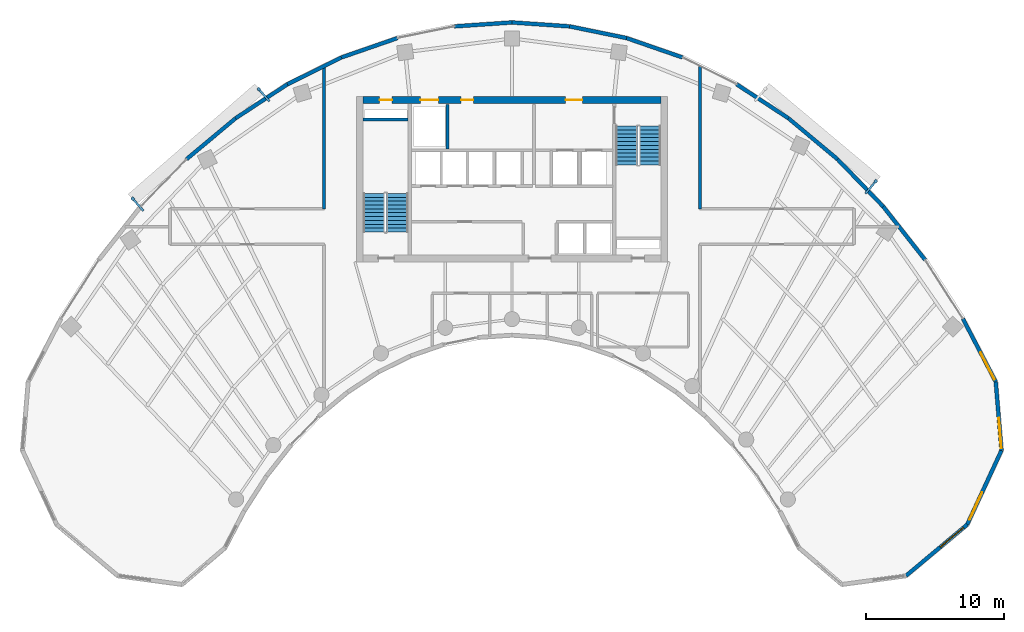
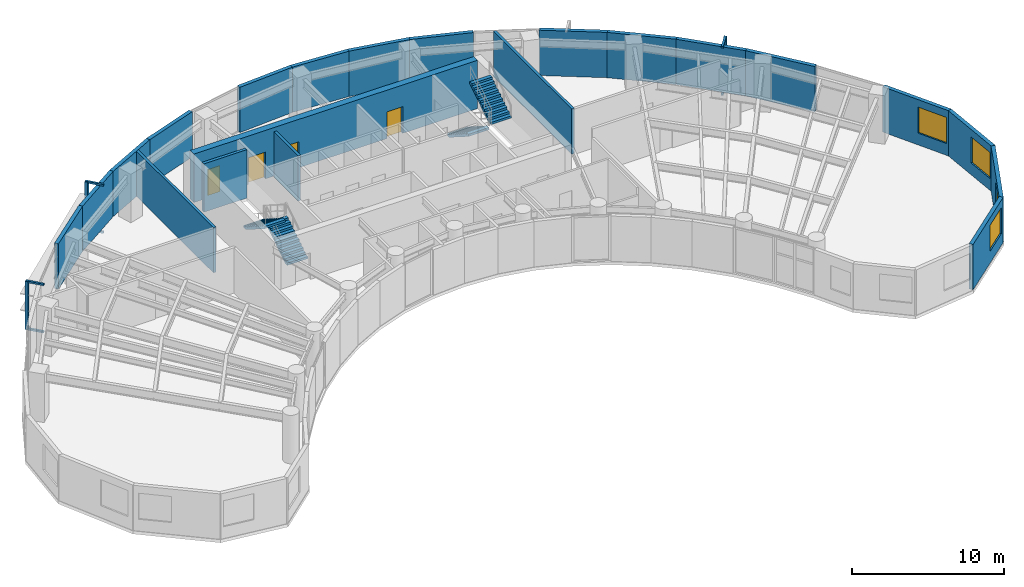
# One storey, part 10 of 13: 21 walls, 9 discrete accessories, 4 doors, 4 stair flights, 4 windows, 8 openings, 2 elements without a shape of their own.
"""IFC4 building model written with IfcOpenShell, lengths in metres."""

from ifc_helpers import new_model, si_unit, direction, frame, frame_2d, origin, origin_2d, place, context, subcontext, project, spatial, polyline, rectangle, outline, extrude, source, transform, mapped, material, layer, layer_set, type_object, type_shapes, element, fill, aggregate, save


model = new_model("IFC4")

# Units and contexts
model_context = context("Model", 3, precision=1e-05, world=origin(), true_north=direction((0.0, 1.0)))
body_context = subcontext(model_context, "Body", "Model", "MODEL_VIEW")
ifc_project = project(units=[si_unit("LENGTHUNIT", "METRE"), si_unit("AREAUNIT", "SQUARE_METRE"), si_unit("VOLUMEUNIT", "CUBIC_METRE"), si_unit("PLANEANGLEUNIT", "RADIAN"), si_unit("MASSUNIT", "GRAM", prefix="KILO")], contexts=[model_context])

# Site, building, storey
site_placement = place(None, origin())
site = spatial("IfcSite", under=ifc_project, at=site_placement, CompositionType="ELEMENT")
building_placement = place(site_placement, origin())
building = spatial("IfcBuilding", under=site, at=building_placement, Name="Breltana Convention Tower", CompositionType="ELEMENT")
storey_placement = place(building_placement, frame((0.0, 0.0, 158.39990234375)))
storey = spatial("IfcBuildingStorey", under=building, at=storey_placement, Name="L38", CompositionType="ELEMENT", Elevation=158.39990234375)

# Wall, openings, doors
ifc_material_1 = material(Name="Concrete C60/75", Category="concrete")
ifc_layer_1 = layer(ifc_material_1, 0.5, Name="Concrete C60/75")
ifc_layer_set_1 = layer_set([ifc_layer_1], Name="Concrete C60/75")
wall_type_1 = type_object("IfcWallType", Name="SW-CORE-500", PredefinedType="SHEAR", material=ifc_layer_set_1)
shared_shape_1 = source(origin(), body_context, "Body", "SweptSolid", [
    extrude(rectangle(XDim=21.60009765625, YDim=0.5, at=frame_2d((10.800048828125, 0.0))), origin(), (0.0, 0.0, 1.0), 3.900146484375),
])
wall_1_placement = place(storey_placement, frame((37.199951171875, 71.949951171875, 0.0), z_axis=(0.0, 0.0, 1.0), x_axis=(1.0, 0.0, 0.0)))
wall_1 = element("IfcWall", 1, at=wall_1_placement, inside=storey, type_object=wall_type_1, Name="L38 North Core Shear Wall", PredefinedType="SHEAR", context=body_context, shape_type="MappedRepresentation", body=[
    mapped(shared_shape_1, transform((0.0, 0.0, 0.0), scale=1.0)),
])
opening_1_placement = place(wall_1_placement, frame((1.199951171875, 0.0, 0.0)))
opening_1 = element("IfcOpeningElement", 2, at=opening_1_placement, cuts=wall_1, Name="Opening D-18", PredefinedType="OPENING", context=body_context, shape_type="SweptSolid", body=[
    extrude(rectangle(XDim=0.89990234375, YDim=2.10009765625, at=frame_2d((0.449951171875, 1.050048828125))), frame((0.0, 0.260009765625, 0.0), z_axis=(0.0, -1.0, 0.0), x_axis=(1.0, 0.0, 0.0)), (0.0, 0.0, 1.0), 0.52001953125),
])
opening_2_placement = place(wall_1_placement, frame((14.699951171875, 0.0, 0.0)))
opening_2 = element("IfcOpeningElement", 3, at=opening_2_placement, cuts=wall_1, Name="Opening D-09", PredefinedType="OPENING", context=body_context, shape_type="SweptSolid", body=[
    extrude(rectangle(XDim=1.199951171875, YDim=2.14990234375, at=frame_2d((0.60009765625, 1.074951171875))), frame((0.0, 0.260009765625, 0.0), z_axis=(0.0, -1.0, 0.0), x_axis=(1.0, 0.0, 0.0)), (0.0, 0.0, 1.0), 0.52001953125),
])
opening_3_placement = place(wall_1_placement, frame((4.14990234375, 0.0, 0.0)))
opening_3 = element("IfcOpeningElement", 4, at=opening_3_placement, cuts=wall_1, Name="Opening LD-01", PredefinedType="OPENING", context=body_context, shape_type="SweptSolid", body=[
    extrude(rectangle(XDim=1.300048828125, YDim=2.14990234375, at=frame_2d((0.64990234375, 1.074951171875))), frame((0.0, 0.260009765625, 0.0), z_axis=(0.0, -1.0, 0.0), x_axis=(1.0, 0.0, 0.0)), (0.0, 0.0, 1.0), 0.52001953125),
])
opening_4_placement = place(wall_1_placement, frame((7.10009765625, 0.0, 0.0)))
opening_4 = element("IfcOpeningElement", 5, at=opening_4_placement, cuts=wall_1, Name="Opening D-18", PredefinedType="OPENING", context=body_context, shape_type="SweptSolid", body=[
    extrude(rectangle(XDim=0.89990234375, YDim=2.10009765625, at=frame_2d((0.449951171875, 1.050048828125))), frame((0.0, 0.260009765625, 0.0), z_axis=(0.0, -1.0, 0.0), x_axis=(1.0, 0.0, 0.0)), (0.0, 0.0, 1.0), 0.52001953125),
])
ifc_material_2 = material(Name="Steel Riser Fire Door", Category="steel")
door_type_1 = type_object("IfcDoorType", Name="DR-FD60-900", OperationType="NOTDEFINED", PredefinedType="DOOR", material=ifc_material_2)
shared_shape_2 = source(origin(), body_context, "Body", "SweptSolid", [
    extrude(rectangle(XDim=0.89990234375, YDim=2.10009765625, at=frame_2d((0.449951171875, 1.050048828125))), frame((0.0, 0.02490234375, 0.0), z_axis=(0.0, -1.0, 0.0), x_axis=(1.0, 0.0, 0.0)), (0.0, 0.0, 1.0), 0.050048828125),
])
type_shapes(door_type_1, [shared_shape_2])
door_1_placement = place(opening_1_placement, origin())
door_1 = element("IfcDoor", 6, at=door_1_placement, inside=storey, type_object=door_type_1, Name="L38 Core Riser Access Door D-L38-RS1", OperationType="SINGLE_SWING_LEFT", OverallHeight=2.10009765625, OverallWidth=0.89990234375, PredefinedType="DOOR", context=body_context, shape_type="MappedRepresentation", body=[
    mapped(shared_shape_2, transform((0.0, 0.0, 0.0), scale=1.0)),
])
fill(opening_1, door_1)
door_2_placement = place(opening_4_placement, origin())
door_2 = element("IfcDoor", 7, at=door_2_placement, inside=storey, type_object=door_type_1, Name="L38 interior door D-L38-CRA1", OperationType="SINGLE_SWING_RIGHT", OverallHeight=2.10009765625, OverallWidth=0.89990234375, PredefinedType="DOOR", context=body_context, shape_type="MappedRepresentation", body=[
    mapped(shared_shape_2, transform((0.0, 0.0, 0.0), scale=1.0)),
])
fill(opening_4, door_2)
ifc_material_3 = material(Name="Steel Fire Lobby Door", Category="steel")
door_type_2 = type_object("IfcDoorType", Name="DR-FD120-1200", OperationType="NOTDEFINED", PredefinedType="DOOR", material=ifc_material_3)
shared_shape_3 = source(origin(), body_context, "Body", "SweptSolid", [
    extrude(rectangle(XDim=1.199951171875, YDim=2.14990234375, at=frame_2d((0.60009765625, 1.074951171875))), frame((0.0, 0.02490234375, 0.0), z_axis=(0.0, -1.0, 0.0), x_axis=(1.0, 0.0, 0.0)), (0.0, 0.0, 1.0), 0.050048828125),
])
type_shapes(door_type_2, [shared_shape_3])
door_3_placement = place(opening_2_placement, origin())
door_3 = element("IfcDoor", 8, at=door_3_placement, inside=storey, type_object=door_type_2, Name="L38 interior door D-L38-FFL-N", OperationType="SINGLE_SWING_RIGHT", OverallHeight=2.14990234375, OverallWidth=1.199951171875, PredefinedType="DOOR", context=body_context, shape_type="MappedRepresentation", body=[
    mapped(shared_shape_3, transform((0.0, 0.0, 0.0), scale=1.0)),
])
fill(opening_2, door_3)
ifc_material_4 = material(Name="Stainless Steel Brushed", Category="steel")
door_type_3 = type_object("IfcDoorType", Name="DR-LD-SRV-1300", OperationType="DOUBLE_DOOR_SLIDING", PredefinedType="DOOR", material=ifc_material_4)
shared_shape_4 = source(origin(), body_context, "Body", "SweptSolid", [
    extrude(rectangle(XDim=1.300048828125, YDim=2.14990234375, at=frame_2d((0.64990234375, 1.074951171875))), frame((0.0, 0.02490234375, 0.0), z_axis=(0.0, -1.0, 0.0), x_axis=(1.0, 0.0, 0.0)), (0.0, 0.0, 1.0), 0.050048828125),
])
type_shapes(door_type_3, [shared_shape_4])
door_4_placement = place(opening_3_placement, origin())
door_4 = element("IfcDoor", 9, at=door_4_placement, inside=storey, type_object=door_type_3, Name="L38 Lift Landing Door D-L38-LD-SV1", OperationType="DOUBLE_DOOR_SLIDING", OverallHeight=2.14990234375, OverallWidth=1.300048828125, PredefinedType="DOOR", context=body_context, shape_type="MappedRepresentation", body=[
    mapped(shared_shape_4, transform((0.0, 0.0, 0.0), scale=1.0)),
])
fill(opening_3, door_4)

# Wall
ifc_material_5 = material(Name="Concrete C50/60", Category="concrete")
ifc_layer_2 = layer(ifc_material_5, 0.39990234375, Name="Concrete C50/60")
ifc_layer_set_2 = layer_set([ifc_layer_2], Name="Concrete C50/60")
wall_type_2 = type_object("IfcWallType", Name="SW-CORE-400", PredefinedType="SHEAR", material=ifc_layer_set_2)
shared_shape_5 = source(origin(), body_context, "Body", "SweptSolid", [
    extrude(rectangle(XDim=3.27001953125, YDim=0.219970703125, at=frame_2d((1.635009765625, 0.0))), origin(), (0.0, 0.0, 1.0), 3.900146484375),
])
wall_2_placement = place(storey_placement, frame((37.199951171875, 70.510009765625, 0.0), z_axis=(0.0, 0.0, 1.0), x_axis=(1.0, 0.0, 0.0)))
element("IfcWall", 10, at=wall_2_placement, inside=storey, type_object=wall_type_2, Name="L38 ST-1 Stairwell North Bearing Wall", PredefinedType="SHEAR", context=body_context, shape_type="MappedRepresentation", body=[
    mapped(shared_shape_5, transform((0.0, 0.0, 0.0), scale=1.0)),
])

# Wall, opening, window
ifc_material_6 = material(Name="Limestone Buff Insulated Wall", Category="masonry")
ifc_layer_3 = layer(ifc_material_6, 0.280029296875, Name="Limestone Buff Insulated Wall")
ifc_layer_set_3 = layer_set([ifc_layer_3], Name="Limestone Buff Insulated Wall")
wall_type_3 = type_object("IfcWallType", Name="WL-EXT-NOSE-280", PredefinedType="SOLIDWALL", material=ifc_layer_set_3)
shared_shape_6 = source(origin(), body_context, "Body", "SweptSolid", [
    extrude(rectangle(XDim=4.994384765625, YDim=0.280029296875, at=frame_2d((2.4970703125, 0.0))), origin(), (0.0, 0.0, 1.0), 3.650146484375),
])
wall_3_placement = place(storey_placement, frame((83.102294921875, 51.48876953125, 0.0), z_axis=(0.0, 0.0, 1.0), x_axis=(0.083344839916, -0.996520766296, 0.0)))
wall_3 = element("IfcWall", 11, at=wall_3_placement, inside=storey, type_object=wall_type_3, Name="L38 curved limestone nose wall E1", PredefinedType="SOLIDWALL", context=body_context, shape_type="MappedRepresentation", body=[
    mapped(shared_shape_6, transform((0.0, 0.0, 0.0), scale=1.0)),
])
opening_5_placement = place(wall_3_placement, frame((2.634521484375, 0.0, 0.949951171875)))
opening_5 = element("IfcOpeningElement", 12, at=opening_5_placement, cuts=wall_3, Name="Opening W-03", PredefinedType="OPENING", context=body_context, shape_type="SweptSolid", body=[
    extrude(rectangle(XDim=2.199951171875, YDim=2.10009765625, at=frame_2d((1.10009765625, 1.050048828125))), frame((0.0, 0.14990234375, 0.0), z_axis=(0.0, -1.0, 0.0), x_axis=(1.0, 0.0, 0.0)), (0.0, 0.0, 1.0), 0.300048828125),
])
ifc_material_7 = material(Name="Glass Low-E Insulated Window", Category="glass")
window_type = type_object("IfcWindowType", Name="WN-NOSE-2200X2100", PartitioningType="TRIPLE_PANEL_VERTICAL", PredefinedType="WINDOW", material=ifc_material_7)
shared_shape_7 = source(origin(), body_context, "Body", "SweptSolid", [
    extrude(rectangle(XDim=2.199951171875, YDim=2.10009765625, at=frame_2d((1.10009765625, 1.050048828125))), frame((0.0, 0.030029296875, 0.0), z_axis=(0.0, -1.0, 0.0), x_axis=(1.0, 0.0, 0.0)), (0.0, 0.0, 1.0), 0.06005859375),
])
type_shapes(window_type, [shared_shape_7])
window_1_placement = place(opening_5_placement, origin())
window_1 = element("IfcWindow", 13, at=window_1_placement, inside=storey, type_object=window_type, Name="L38 nose window E1", OverallHeight=2.10009765625, OverallWidth=2.199951171875, PartitioningType="TRIPLE_PANEL_VERTICAL", PredefinedType="WINDOW", context=body_context, shape_type="MappedRepresentation", body=[
    mapped(shared_shape_7, transform((0.0, 0.0, 0.0), scale=1.0)),
])
fill(opening_5, window_1)

shared_shape_8 = source(origin(), body_context, "Body", "SweptSolid", [
    extrude(rectangle(XDim=5.927490234375, YDim=0.280029296875, at=frame_2d((2.9638671875, 0.0))), origin(), (0.0, 0.0, 1.0), 3.650146484375),
])
wall_4_placement = place(storey_placement, frame((83.5185546875, 46.51171875, 0.0), z_axis=(0.0, 0.0, 1.0), x_axis=(-0.419656204795, -0.907683132914, 0.0)))
wall_4 = element("IfcWall", 14, at=wall_4_placement, inside=storey, type_object=wall_type_3, Name="L38 curved limestone nose wall E2", PredefinedType="SOLIDWALL", context=body_context, shape_type="MappedRepresentation", body=[
    mapped(shared_shape_8, transform((0.0, 0.0, 0.0), scale=1.0)),
])
opening_6_placement = place(wall_4_placement, frame((3.345703125, 0.0, 0.949951171875)))
opening_6 = element("IfcOpeningElement", 15, at=opening_6_placement, cuts=wall_4, Name="Opening W-03", PredefinedType="OPENING", context=body_context, shape_type="SweptSolid", body=[
    extrude(rectangle(XDim=2.199951171875, YDim=2.10009765625, at=frame_2d((1.10009765625, 1.050048828125))), frame((0.0, 0.14990234375, 0.0), z_axis=(0.0, -1.0, 0.0), x_axis=(1.0, 0.0, 0.0)), (0.0, 0.0, 1.0), 0.300048828125),
])
window_2_placement = place(opening_6_placement, origin())
window_2 = element("IfcWindow", 16, at=window_2_placement, inside=storey, type_object=window_type, Name="L38 nose window E2", OverallHeight=2.10009765625, OverallWidth=2.199951171875, PartitioningType="TRIPLE_PANEL_VERTICAL", PredefinedType="WINDOW", context=body_context, shape_type="MappedRepresentation", body=[
    mapped(shared_shape_7, transform((0.0, 0.0, 0.0), scale=1.0)),
])
fill(opening_6, window_2)

shared_shape_9 = source(origin(), body_context, "Body", "SweptSolid", [
    extrude(rectangle(XDim=5.786376953125, YDim=0.280029296875, at=frame_2d((2.89306640625, 0.0))), origin(), (0.0, 0.0, 1.0), 3.650146484375),
])
wall_5_placement = place(storey_placement, frame((81.031005859375, 41.13134765625, 0.0), z_axis=(0.0, 0.0, 1.0), x_axis=(-0.766711306852, -0.641992034176, 0.0)))
wall_5 = element("IfcWall", 17, at=wall_5_placement, inside=storey, type_object=wall_type_3, Name="L38 curved limestone nose wall E3", PredefinedType="SOLIDWALL", context=body_context, shape_type="MappedRepresentation", body=[
    mapped(shared_shape_9, transform((0.0, 0.0, 0.0), scale=1.0)),
])
opening_7_placement = place(wall_5_placement, frame((0.3466796875, 0.0, 0.949951171875)))
opening_7 = element("IfcOpeningElement", 18, at=opening_7_placement, cuts=wall_5, Name="Opening W-03", PredefinedType="OPENING", context=body_context, shape_type="SweptSolid", body=[
    extrude(rectangle(XDim=2.199951171875, YDim=2.10009765625, at=frame_2d((1.10009765625, 1.050048828125))), frame((0.0, 0.14990234375, 0.0), z_axis=(0.0, -1.0, 0.0), x_axis=(1.0, 0.0, 0.0)), (0.0, 0.0, 1.0), 0.300048828125),
])
window_3_placement = place(opening_7_placement, origin())
window_3 = element("IfcWindow", 19, at=window_3_placement, inside=storey, type_object=window_type, Name="L38 nose window E3", OverallHeight=2.10009765625, OverallWidth=2.199951171875, PartitioningType="TRIPLE_PANEL_VERTICAL", PredefinedType="WINDOW", context=body_context, shape_type="MappedRepresentation", body=[
    mapped(shared_shape_7, transform((0.0, 0.0, 0.0), scale=1.0)),
])
fill(opening_7, window_3)

shared_shape_10 = source(origin(), body_context, "Body", "SweptSolid", [
    extrude(rectangle(XDim=5.1708984375, YDim=0.280029296875, at=frame_2d((2.58544921875, 0.0))), origin(), (0.0, 0.0, 1.0), 3.650146484375),
])
wall_6_placement = place(storey_placement, frame((80.714599609375, 56.075439453125, 0.0), z_axis=(0.0, 0.0, 1.0), x_axis=(0.461752581363, -0.887008767491, 0.0)))
wall_6 = element("IfcWall", 20, at=wall_6_placement, inside=storey, type_object=wall_type_3, Name="L38 curved limestone nose wall E33", PredefinedType="SOLIDWALL", context=body_context, shape_type="MappedRepresentation", body=[
    mapped(shared_shape_10, transform((0.0, 0.0, 0.0), scale=1.0)),
])
opening_8_placement = place(wall_6_placement, frame((2.7783203125, 0.0, 0.949951171875)))
opening_8 = element("IfcOpeningElement", 21, at=opening_8_placement, cuts=wall_6, Name="Opening W-03", PredefinedType="OPENING", context=body_context, shape_type="SweptSolid", body=[
    extrude(rectangle(XDim=2.199951171875, YDim=2.10009765625, at=frame_2d((1.10009765625, 1.050048828125))), frame((0.0, 0.14990234375, 0.0), z_axis=(0.0, -1.0, 0.0), x_axis=(1.0, 0.0, 0.0)), (0.0, 0.0, 1.0), 0.300048828125),
])
window_4_placement = place(opening_8_placement, origin())
window_4 = element("IfcWindow", 22, at=window_4_placement, inside=storey, type_object=window_type, Name="L38 nose window E33", OverallHeight=2.10009765625, OverallWidth=2.199951171875, PartitioningType="TRIPLE_PANEL_VERTICAL", PredefinedType="WINDOW", context=body_context, shape_type="MappedRepresentation", body=[
    mapped(shared_shape_7, transform((0.0, 0.0, 0.0), scale=1.0)),
])
fill(opening_8, window_4)

# Walls
shared_shape_11 = source(origin(), body_context, "Body", "SweptSolid", [
    extrude(rectangle(XDim=4.921630859375, YDim=0.280029296875, at=frame_2d((2.4609375, 0.0))), origin(), (0.0, 0.0, 1.0), 3.650146484375),
])
wall_7_placement = place(storey_placement, frame((74.936279296875, 64.206298828125, 0.0), z_axis=(0.0, 0.0, 1.0), x_axis=(0.61817639101, -0.786039407153, 0.0)))
element("IfcWall", 23, at=wall_7_placement, inside=storey, type_object=wall_type_3, Name="L38 curved limestone nose wall E32", PredefinedType="SOLIDWALL", context=body_context, shape_type="MappedRepresentation", body=[
    mapped(shared_shape_11, transform((0.0, 0.0, 0.0), scale=1.0)),
])
shared_shape_12 = source(origin(), body_context, "Body", "SweptSolid", [
    extrude(rectangle(XDim=4.77587890625, YDim=0.280029296875, at=frame_2d((2.387939453125, 0.0))), origin(), (0.0, 0.0, 1.0), 3.650146484375),
])
wall_8_placement = place(storey_placement, frame((71.618896484375, 67.64208984375, 0.0), z_axis=(0.0, 0.0, 1.0), x_axis=(0.694601811851, -0.719394414055, 0.0)))
element("IfcWall", 24, at=wall_8_placement, inside=storey, type_object=wall_type_3, Name="L38 curved limestone nose wall E31", PredefinedType="SOLIDWALL", context=body_context, shape_type="MappedRepresentation", body=[
    mapped(shared_shape_12, transform((0.0, 0.0, 0.0), scale=1.0)),
])
shared_shape_13 = source(origin(), body_context, "Body", "SweptSolid", [
    extrude(rectangle(XDim=4.633544921875, YDim=0.280029296875, at=frame_2d((2.31689453125, 0.0))), origin(), (0.0, 0.0, 1.0), 3.650146484375),
])
for number, where, z_axis, x_axis, name in (
    (25, (24.381103515625, 67.64208984375, 0.0), (0.0, 0.0, 1.0), (0.767910229096, 0.640557475993, 0.0), "L38 curved limestone nose wall E21"),
    (26, (68.060791015625, 70.610107421875, 0.0), (0.0, 0.0, 1.0), (0.767910229096, -0.640557475993, 0.0), "L38 curved limestone nose wall E30"),
):
    element("IfcWall", number, at=place(storey_placement, frame(where, z_axis=z_axis, x_axis=x_axis)), inside=storey, type_object=wall_type_3, Name=name, PredefinedType="SOLIDWALL", context=body_context, shape_type="MappedRepresentation", body=[
        mapped(shared_shape_13, transform((0.0, 0.0, 0.0), scale=1.0)),
    ])
shared_shape_14 = source(origin(), body_context, "Body", "SweptSolid", [
    extrude(rectangle(XDim=4.500732421875, YDim=0.280029296875, at=frame_2d((2.25048828125, 0.0))), origin(), (0.0, 0.0, 1.0), 3.650146484375),
])
for number, where, z_axis, x_axis, name in (
    (27, (27.939208984375, 70.610107421875, 0.0), (0.0, 0.0, 1.0), (0.835984920737, 0.548752414391, 0.0), "L38 curved limestone nose wall E22"),
    (28, (64.29833984375, 73.079833984375, 0.0), (0.0, 0.0, 1.0), (0.835984920737, -0.548752414391, 0.0), "L38 curved limestone nose wall E29"),
):
    element("IfcWall", number, at=place(storey_placement, frame(where, z_axis=z_axis, x_axis=x_axis)), inside=storey, type_object=wall_type_3, Name=name, PredefinedType="SOLIDWALL", context=body_context, shape_type="MappedRepresentation", body=[
        mapped(shared_shape_14, transform((0.0, 0.0, 0.0), scale=1.0)),
    ])
shared_shape_15 = source(origin(), body_context, "Body", "SweptSolid", [
    extrude(rectangle(XDim=4.289794921875, YDim=0.280029296875, at=frame_2d((2.14501953125, 0.0))), origin(), (0.0, 0.0, 1.0), 3.650146484375),
])
for number, where, z_axis, x_axis, name in (
    (29, (35.629638671875, 75.02685546875, 0.0), (0.0, 0.0, 1.0), (0.944883859218, 0.3274057003, 0.0), "L38 curved limestone nose wall E24"),
    (30, (56.31689453125, 76.431396484375, 0.0), (0.0, 0.0, 1.0), (0.944883859218, -0.3274057003, 0.0), "L38 curved limestone nose wall E28"),
):
    element("IfcWall", number, at=place(storey_placement, frame(where, z_axis=z_axis, x_axis=x_axis)), inside=storey, type_object=wall_type_3, Name=name, PredefinedType="SOLIDWALL", context=body_context, shape_type="MappedRepresentation", body=[
        mapped(shared_shape_15, transform((0.0, 0.0, 0.0), scale=1.0)),
    ])
shared_shape_16 = source(origin(), body_context, "Body", "SweptSolid", [
    extrude(rectangle(XDim=4.223388671875, YDim=0.280029296875, at=frame_2d((2.11181640625, 0.0))), origin(), (0.0, 0.0, 1.0), 3.650146484375),
])
wall_9_placement = place(storey_placement, frame((52.1796875, 77.27978515625, 0.0), z_axis=(0.0, 0.0, 1.0), x_axis=(0.979615245085, -0.200882979858, 0.0)))
element("IfcWall", 31, at=wall_9_placement, inside=storey, type_object=wall_type_3, Name="L38 curved limestone nose wall E27", PredefinedType="SOLIDWALL", context=body_context, shape_type="MappedRepresentation", body=[
    mapped(shared_shape_16, transform((0.0, 0.0, 0.0), scale=1.0)),
])
shared_shape_17 = source(origin(), body_context, "Body", "SweptSolid", [
    extrude(rectangle(XDim=4.189208984375, YDim=0.280029296875, at=frame_2d((2.0947265625, 0.0))), origin(), (0.0, 0.0, 1.0), 3.650146484375),
])
for number, where, z_axis, x_axis, name in (
    (32, (43.8203125, 77.27978515625, 0.0), (0.0, 0.0, 1.0), (0.997700560699, 0.067776036921, 0.0), "L38 curved limestone nose wall E25"),
    (33, (48.0, 77.563720703125, 0.0), (0.0, 0.0, 1.0), (0.997700560699, -0.067776036921, 0.0), "L38 curved limestone nose wall E26"),
):
    element("IfcWall", number, at=place(storey_placement, frame(where, z_axis=z_axis, x_axis=x_axis)), inside=storey, type_object=wall_type_3, Name=name, PredefinedType="SOLIDWALL", context=body_context, shape_type="MappedRepresentation", body=[
        mapped(shared_shape_17, transform((0.0, 0.0, 0.0), scale=1.0)),
    ])
shared_shape_18 = source(origin(), body_context, "Body", "SweptSolid", [
    extrude(rectangle(XDim=4.384033203125, YDim=0.280029296875, at=frame_2d((2.19189453125, 0.0))), origin(), (0.0, 0.0, 1.0), 3.650146484375),
])
wall_10_placement = place(storey_placement, frame((31.70166015625, 73.079833984375, 0.0), z_axis=(0.0, 0.0, 1.0), x_axis=(0.895969968053, 0.444114643248, 0.0)))
element("IfcWall", 34, at=wall_10_placement, inside=storey, type_object=wall_type_3, Name="L38 curved limestone nose wall E23", PredefinedType="SOLIDWALL", context=body_context, shape_type="MappedRepresentation", body=[
    mapped(shared_shape_18, transform((0.0, 0.0, 0.0), scale=1.0)),
])
ifc_material_8 = material(Name="Autoclaved Aerated Concrete Block", Category="concrete")
ifc_layer_4 = layer(ifc_material_8, 0.199951171875, Name="Autoclaved Aerated Concrete Block")
ifc_layer_set_4 = layer_set([ifc_layer_4], Name="Autoclaved Aerated Concrete Block")
wall_type_4 = type_object("IfcWallType", Name="WL-SHAFT-200", PredefinedType="SOLIDWALL", material=ifc_layer_set_4)
shared_shape_19 = source(origin(), body_context, "Body", "SweptSolid", [
    extrude(rectangle(XDim=3.2001953125, YDim=0.199951171875, at=frame_2d((1.60009765625, 0.0))), origin(), (0.0, 0.0, 1.0), 3.650146484375),
])
wall_11_placement = place(storey_placement, frame((43.320068359375, 68.39990234375, 0.0), z_axis=(0.0, 0.0, 1.0), x_axis=(0.0, 1.0, 0.0)))
element("IfcWall", 35, at=wall_11_placement, inside=storey, type_object=wall_type_4, Name="L38 interior partition W-L38-SV-E", PredefinedType="SOLIDWALL", context=body_context, shape_type="MappedRepresentation", body=[
    mapped(shared_shape_19, transform((0.0, 0.0, 0.0), scale=1.0)),
])
ifc_material_9 = material(Name="Gypsum Acoustic Hotel Wall")
ifc_layer_5 = layer(ifc_material_9, 0.195068359375, Name="Gypsum Acoustic Hotel Wall")
ifc_layer_set_5 = layer_set([ifc_layer_5], Name="Gypsum Acoustic Hotel Wall")
wall_type_5 = type_object("IfcWallType", Name="WL-HOTEL-200", PredefinedType="PARTITIONING", material=ifc_layer_set_5)
shared_shape_20 = source(origin(), body_context, "Body", "SweptSolid", [
    extrude(rectangle(XDim=10.346435546875, YDim=0.195068359375, at=frame_2d((5.17333984375, 0.0))), origin(), (0.0, 0.0, 1.0), 3.650146484375),
])
for number, where, z_axis, x_axis, name in (
    (36, (34.360107421875, 64.0400390625, 0.0), (0.0, 0.0, 1.0), (0.0, 1.0, 0.0), "L38 interior partition W-L38-ZODD-WN"),
    (37, (61.639892578125, 64.0400390625, 0.0), (0.0, 0.0, 1.0), (0.0, 1.0, 0.0), "L38 interior partition W-L38-ZODD-EN"),
):
    element("IfcWall", number, at=place(storey_placement, frame(where, z_axis=z_axis, x_axis=x_axis)), inside=storey, type_object=wall_type_5, Name=name, PredefinedType="PARTITIONING", context=body_context, shape_type="MappedRepresentation", body=[
        mapped(shared_shape_20, transform((0.0, 0.0, 0.0), scale=1.0)),
    ])

# Stair, stair flights
ifc_material_10 = material(Name="Concrete C40/50", Category="concrete")
stair_type = type_object("IfcStairType", Name="ST-DOG-1560-R177", PredefinedType="HALF_TURN_STAIR", material=ifc_material_10)
stair_1_placement = place(storey_placement, origin())
stair_1 = element("IfcStair", 38, at=stair_1_placement, inside=storey, type_object=stair_type, Name="L38 Protected Core Exit Stair ST-1", PredefinedType="HALF_TURN_STAIR")
stair_flight_type = type_object("IfcStairFlightType", Name="STF-DOG-1560-N11-R177", PredefinedType="STRAIGHT", material=ifc_material_10)
stair_flight_1_placement = place(storey_placement, frame((39.68994140625, 62.360107421875, 0.0), z_axis=(0.0, 0.0, 1.0), x_axis=(0.0, 1.0, 0.0)))
stair_flight_1 = element("IfcStairFlight", 39, at=stair_flight_1_placement, type_object=stair_flight_type, Name="ST-1 flight 1", NumberOfRisers=11, NumberOfTreads=10, PredefinedType="STRAIGHT", RiserHeight=0.177272727, TreadLength=0.28, context=body_context, shape_type="SweptSolid", body=[
    extrude(outline(polyline([(0.0, 0.0), (0.0, 0.17724609375), (0.280029296875, 0.17724609375), (0.280029296875, 0.3544921875), (0.56005859375, 0.3544921875), (0.56005859375, 0.53173828125), (0.840087890625, 0.53173828125), (0.840087890625, 0.708984375), (1.1201171875, 0.708984375), (1.1201171875, 0.886474609375), (1.39990234375, 0.886474609375), (1.39990234375, 1.063720703125), (1.679931640625, 1.063720703125), (1.679931640625, 1.240966796875), (1.9599609375, 1.240966796875), (1.9599609375, 1.418212890625), (2.239990234375, 1.418212890625), (2.239990234375, 1.595458984375), (2.52001953125, 1.595458984375), (2.52001953125, 1.772705078125), (2.800048828125, 1.772705078125), (2.800048828125, 1.949951171875), (2.800048828125, 1.59521484375), (0.2802734375, 0.0), (0.0, 0.0)])), frame((0.0, 0.780029296875, 0.0), z_axis=(0.0, -1.0, 0.0), x_axis=(1.0, 0.0, 0.0)), (0.0, 0.0, 1.0), 1.56005859375),
])
stair_flight_2_placement = place(storey_placement, frame((37.97998046875, 65.159912109375, 1.9501953125), z_axis=(0.0, 0.0, 1.0), x_axis=(0.0, -1.0, 0.0)))
stair_flight_2 = element("IfcStairFlight", 40, at=stair_flight_2_placement, type_object=stair_flight_type, Name="ST-1 flight 2", NumberOfRisers=11, NumberOfTreads=10, PredefinedType="STRAIGHT", RiserHeight=0.177272727, TreadLength=0.28, context=body_context, shape_type="SweptSolid", body=[
    extrude(outline(polyline([(0.0, 0.0), (0.0, 0.17724609375), (0.280029296875, 0.17724609375), (0.280029296875, 0.3544921875), (0.56005859375, 0.3544921875), (0.56005859375, 0.53173828125), (0.840087890625, 0.53173828125), (0.840087890625, 0.708984375), (1.1201171875, 0.708984375), (1.1201171875, 0.886474609375), (1.39990234375, 0.886474609375), (1.39990234375, 1.063720703125), (1.679931640625, 1.063720703125), (1.679931640625, 1.240966796875), (1.9599609375, 1.240966796875), (1.9599609375, 1.418212890625), (2.239990234375, 1.418212890625), (2.239990234375, 1.595458984375), (2.52001953125, 1.595458984375), (2.52001953125, 1.772705078125), (2.800048828125, 1.772705078125), (2.800048828125, 1.949951171875), (2.800048828125, 1.59521484375), (0.2802734375, 0.0), (0.0, 0.0)])), frame((0.0, 0.780029296875, 0.0), z_axis=(0.0, -1.0, 0.0), x_axis=(1.0, 0.0, 0.0)), (0.0, 0.0, 1.0), 1.56005859375),
])
aggregate(stair_1, [stair_flight_1, stair_flight_2])

stair_2_placement = place(storey_placement, origin())
stair_2 = element("IfcStair", 41, at=stair_2_placement, inside=storey, type_object=stair_type, Name="L38 Protected Core Exit Stair ST-2", PredefinedType="HALF_TURN_STAIR")
stair_flight_3_placement = place(storey_placement, frame((56.31005859375, 70.0400390625, 0.0), z_axis=(0.0, 0.0, 1.0), x_axis=(0.0, -1.0, 0.0)))
stair_flight_3 = element("IfcStairFlight", 42, at=stair_flight_3_placement, type_object=stair_flight_type, Name="ST-2 flight 1", NumberOfRisers=11, NumberOfTreads=10, PredefinedType="STRAIGHT", RiserHeight=0.177272727, TreadLength=0.28, context=body_context, shape_type="SweptSolid", body=[
    extrude(outline(polyline([(0.0, 0.0), (0.0, 0.17724609375), (0.280029296875, 0.17724609375), (0.280029296875, 0.3544921875), (0.56005859375, 0.3544921875), (0.56005859375, 0.53173828125), (0.840087890625, 0.53173828125), (0.840087890625, 0.708984375), (1.1201171875, 0.708984375), (1.1201171875, 0.886474609375), (1.39990234375, 0.886474609375), (1.39990234375, 1.063720703125), (1.679931640625, 1.063720703125), (1.679931640625, 1.240966796875), (1.9599609375, 1.240966796875), (1.9599609375, 1.418212890625), (2.239990234375, 1.418212890625), (2.239990234375, 1.595458984375), (2.52001953125, 1.595458984375), (2.52001953125, 1.772705078125), (2.800048828125, 1.772705078125), (2.800048828125, 1.949951171875), (2.800048828125, 1.59521484375), (0.2802734375, 0.0), (0.0, 0.0)])), frame((0.0, 0.780029296875, 0.0), z_axis=(0.0, -1.0, 0.0), x_axis=(1.0, 0.0, 0.0)), (0.0, 0.0, 1.0), 1.56005859375),
])
stair_flight_4_placement = place(storey_placement, frame((58.02001953125, 67.239990234375, 1.9501953125), z_axis=(0.0, 0.0, 1.0), x_axis=(0.0, 1.0, 0.0)))
stair_flight_4 = element("IfcStairFlight", 43, at=stair_flight_4_placement, type_object=stair_flight_type, Name="ST-2 flight 2", NumberOfRisers=11, NumberOfTreads=10, PredefinedType="STRAIGHT", RiserHeight=0.177272727, TreadLength=0.28, context=body_context, shape_type="SweptSolid", body=[
    extrude(outline(polyline([(0.0, 0.0), (0.0, 0.17724609375), (0.280029296875, 0.17724609375), (0.280029296875, 0.3544921875), (0.56005859375, 0.3544921875), (0.56005859375, 0.53173828125), (0.840087890625, 0.53173828125), (0.840087890625, 0.708984375), (1.1201171875, 0.708984375), (1.1201171875, 0.886474609375), (1.39990234375, 0.886474609375), (1.39990234375, 1.063720703125), (1.679931640625, 1.063720703125), (1.679931640625, 1.240966796875), (1.9599609375, 1.240966796875), (1.9599609375, 1.418212890625), (2.239990234375, 1.418212890625), (2.239990234375, 1.595458984375), (2.52001953125, 1.595458984375), (2.52001953125, 1.772705078125), (2.800048828125, 1.772705078125), (2.800048828125, 1.949951171875), (2.800048828125, 1.59521484375), (0.2802734375, 0.0), (0.0, 0.0)])), frame((0.0, 0.780029296875, 0.0), z_axis=(0.0, -1.0, 0.0), x_axis=(1.0, 0.0, 0.0)), (0.0, 0.0, 1.0), 1.56005859375),
])
aggregate(stair_2, [stair_flight_3, stair_flight_4])

# Discrete accessories
ifc_material_11 = material(Name="Steel S355", Category="steel")
discrete_accessory_type_1 = type_object("IfcDiscreteAccessoryType", Name="ACC-DSF-BRACKET-150", PredefinedType="BRACKET", material=ifc_material_11)
shared_shape_21 = source(origin(), body_context, "Body", "SweptSolid", [
    extrude(rectangle(XDim=1.239990234375, YDim=0.14990234375, at=origin_2d()), origin(), (0.0, 0.0, 1.0), 0.139892578125),
])
type_shapes(discrete_accessory_type_1, [shared_shape_21])
for number, where, z_axis, x_axis, name in (
    (44, (20.849853515625, 64.353271484375, -0.15966796875), (0.0, 0.0, 1.0), (-0.65645558996, 0.754364672032, 0.0), "L38 double-skin slab stand-off bracket 1.1B"),
    (45, (20.849853515625, 64.353271484375, 3.650390625), (0.0, 0.0, 1.0), (-0.65645558996, 0.754364672032, 0.0), "L38 double-skin slab stand-off bracket 1.1T"),
    (46, (29.988525390625, 72.305908203125, -0.15966796875), (0.0, 0.0, 1.0), (-0.65645558996, 0.754364672032, 0.0), "L38 double-skin slab stand-off bracket 1.2B"),
    (47, (29.988525390625, 72.305908203125, 3.650390625), (0.0, 0.0, 1.0), (-0.65645558996, 0.754364672032, 0.0), "L38 double-skin slab stand-off bracket 1.2T"),
    (48, (74.037841796875, 65.61376953125, -0.15966796875), (0.0, 0.0, 1.0), (0.641989340657, 0.766713562214, 0.0), "L38 double-skin slab stand-off bracket 2.2B"),
    (49, (74.037841796875, 65.61376953125, 3.650390625), (0.0, 0.0, 1.0), (0.641989340657, 0.766713562214, 0.0), "L38 double-skin slab stand-off bracket 2.2T"),
):
    element("IfcDiscreteAccessory", number, at=place(storey_placement, frame(where, z_axis=z_axis, x_axis=x_axis)), inside=storey, type_object=discrete_accessory_type_1, Name=name, PredefinedType="BRACKET", context=body_context, shape_type="MappedRepresentation", body=[
        mapped(shared_shape_21, transform((0.0, 0.0, 0.0), scale=1.0)),
    ])
discrete_accessory_type_2 = type_object("IfcDiscreteAccessoryType", Name="ACC-DSF-CARRIER-150", PredefinedType="BRACKET", material=ifc_material_11)
shared_shape_22 = source(origin(), body_context, "Body", "SweptSolid", [
    extrude(rectangle(XDim=0.219970703125, YDim=0.219970703125, at=origin_2d()), origin(), (0.0, 0.0, 1.0), 3.8701171875),
])
for number, where, z_axis, x_axis, name in (
    (50, (20.482177734375, 64.77587890625, -0.119873046875), (0.0, 0.0, 1.0), (-0.65645558996, 0.754364672032, 0.0), "L38 double-skin outer vertical carrier 1.1"),
    (51, (29.620849609375, 72.728271484375, -0.119873046875), (0.0, 0.0, 1.0), (-0.65645558996, 0.754364672032, 0.0), "L38 double-skin outer vertical carrier 1.2"),
    (52, (74.3974609375, 66.043212890625, -0.119873046875), (0.0, 0.0, 1.0), (0.641989340657, 0.766713562214, 0.0), "L38 double-skin outer vertical carrier 2.2"),
):
    element("IfcDiscreteAccessory", number, at=place(storey_placement, frame(where, z_axis=z_axis, x_axis=x_axis)), inside=storey, type_object=discrete_accessory_type_2, Name=name, PredefinedType="BRACKET", context=body_context, shape_type="MappedRepresentation", body=[
        mapped(shared_shape_22, transform((0.0, 0.0, 0.0), scale=1.0)),
    ])

save(model, "model.ifc")
